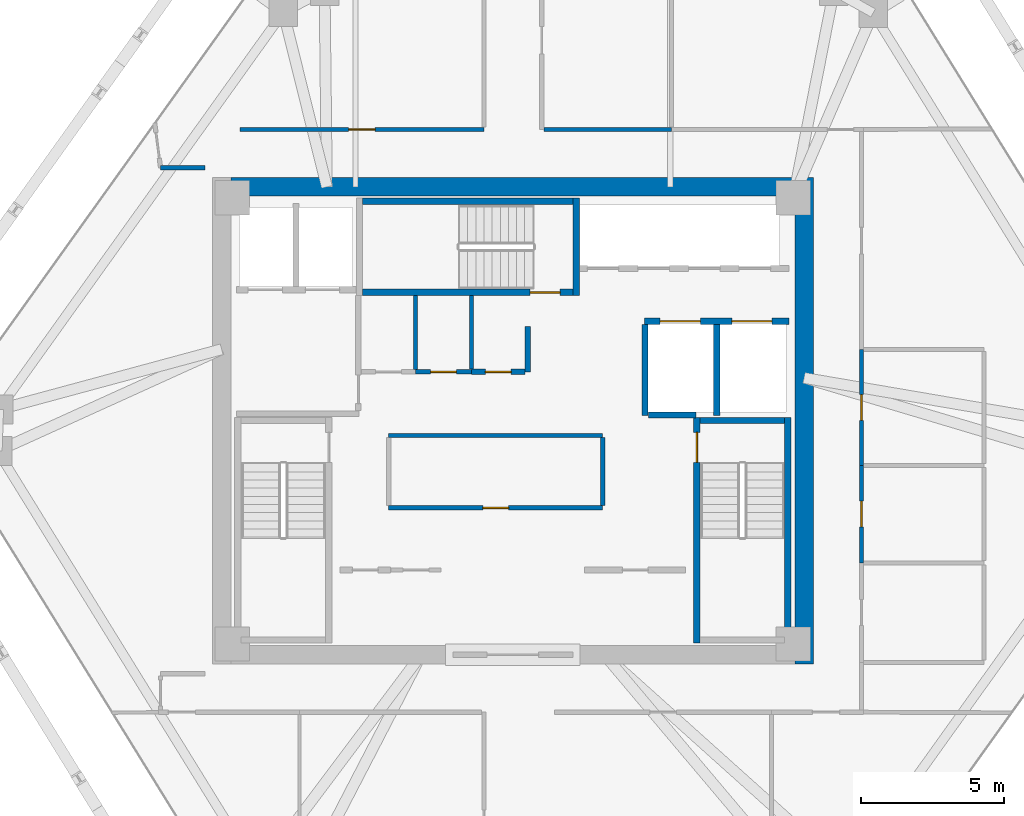
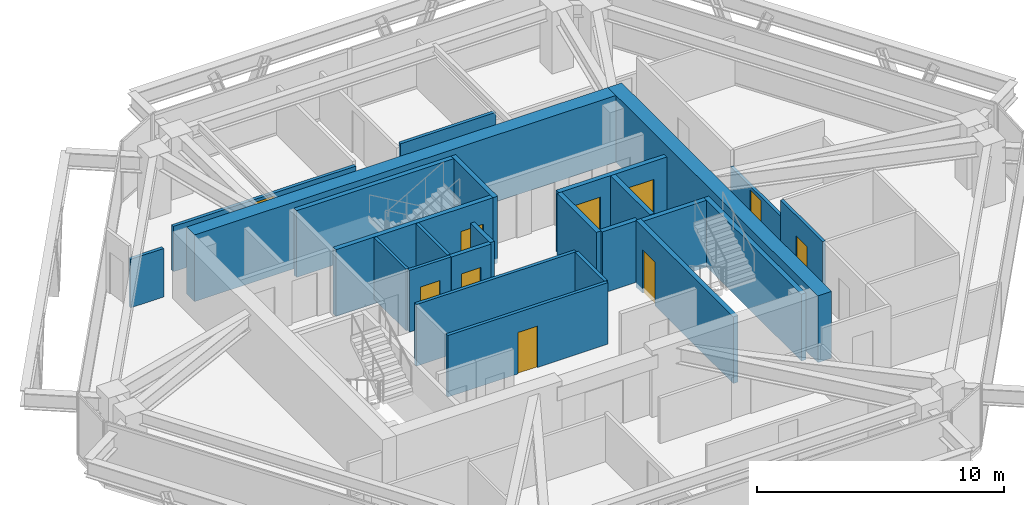
# One storey, part 9 of 11: 25 walls, 10 doors, 10 openings.
"""IFC4 building model written with IfcOpenShell, lengths in metres."""

import ifcopenshell
import ifcopenshell.guid

model = None  # the IFC model being written
_history = None  # IfcOwnerHistory: only IFC2X3 demands one
_inside = {}  # id of a spatial element -> (the spatial element, [elements in it])
_under = {}  # id of a project, library or spatial element -> (it, [spatial elements below it])
_declared = {}  # id of a project -> (the project, [libraries it declares])
_typed = {}  # id of a type object -> (the type object, [elements of that type])
_made_of = {}  # id of a material, layer set ... -> (it, [elements and type objects made of it])


def new_model(schema):
    """Start an empty IFC model of exactly this schema.

    Asked for "IFC4X3", IfcOpenShell would pick the latest addendum, in which some entities
    have other attributes; the version numbers below select the first issue.
    IFC2X3 requires an IfcOwnerHistory on every rooted entity: one is made here for all.
    """
    global model, _history
    if schema == "IFC4X3":
        model = ifcopenshell.file(schema_version=(4, 3, 0, 0))
    else:
        model = ifcopenshell.file(schema=schema)
    _inside.clear()
    _under.clear()
    _declared.clear()
    _typed.clear()
    _made_of.clear()
    _history = None
    if model.schema == "IFC2X3":
        org = make("IfcOrganization", Name="unknown")
        user = make(
            "IfcPersonAndOrganization",
            ThePerson=make("IfcPerson", FamilyName="unknown"),
            TheOrganization=org,
        )
        app = make(
            "IfcApplication",
            ApplicationDeveloper=org,
            Version="unknown",
            ApplicationFullName="unknown",
            ApplicationIdentifier="unknown",
        )
        _history = make(
            "IfcOwnerHistory",
            OwningUser=user,
            OwningApplication=app,
            ChangeAction="ADDED",
            CreationDate=0,
        )
    return model


def make(cls, **values):
    """One entity of the class cls with the attributes given. An attribute that is None is left unset."""
    return model.create_entity(
        cls, **{name: value for name, value in values.items() if value is not None}
    )


def rooted(cls, **values):
    """An entity with a GlobalId (a new one), such as an element, a storey or a relation."""
    return make(cls, GlobalId=ifcopenshell.guid.new(), OwnerHistory=_history, **values)


def si_unit(unit_type, name, prefix=None):
    """IfcSIUnit, for example si_unit("LENGTHUNIT", "METRE", prefix="MILLI")."""
    return make("IfcSIUnit", UnitType=unit_type, Prefix=prefix, Name=name)


def assignment(units):
    """IfcUnitAssignment: the units of a project."""
    return None if units is None else make("IfcUnitAssignment", Units=units)


def point(xyz):
    """IfcCartesianPoint."""
    return None if xyz is None else make("IfcCartesianPoint", Coordinates=xyz)


def direction(xyz):
    """IfcDirection."""
    return None if xyz is None else make("IfcDirection", DirectionRatios=xyz)


def frame(location, z_axis=None, x_axis=None):
    """IfcAxis2Placement3D, a coordinate frame: its origin and axes. An axis left out is left unset."""
    return make(
        "IfcAxis2Placement3D",
        Location=point(location),
        Axis=direction(z_axis),
        RefDirection=direction(x_axis),
    )


def frame_2d(location, x_axis=None):
    """IfcAxis2Placement2D, a coordinate frame in the plane: its origin and x axis."""
    return make(
        "IfcAxis2Placement2D", Location=point(location), RefDirection=direction(x_axis)
    )


def origin():
    """The frame at (0, 0, 0) with its axes left unset."""
    return frame((0.0, 0.0, 0.0))


def place(relative_to, where):
    """IfcLocalPlacement: puts the frame where relative to a parent placement (None: the world)."""
    return make(
        "IfcLocalPlacement", PlacementRelTo=relative_to, RelativePlacement=where
    )


def context(
    kind, dimensions, precision=None, world=None, true_north=None, identifier=None
):
    """IfcGeometricRepresentationContext, for example the 3D "Model" context."""
    return make(
        "IfcGeometricRepresentationContext",
        ContextIdentifier=identifier,
        ContextType=kind,
        CoordinateSpaceDimension=dimensions,
        Precision=precision,
        WorldCoordinateSystem=world,
        TrueNorth=true_north,
    )


def subcontext(parent, identifier, kind, view, scale=None):
    """IfcGeometricRepresentationSubContext, for example "Body" below "Model"."""
    return make(
        "IfcGeometricRepresentationSubContext",
        ContextIdentifier=identifier,
        ContextType=kind,
        ParentContext=parent,
        TargetScale=scale,
        TargetView=view,
    )


def project(units=None, contexts=None):
    """IfcProject with its units and contexts."""
    return rooted(
        "IfcProject",
        Name="project",
        RepresentationContexts=contexts,
        UnitsInContext=assignment(units),
    )


def spatial(cls, under=None, at=None, **own):
    """A site, building, storey or space (cls), placed at a placement, below another one or the project."""
    s = rooted(cls, ObjectPlacement=at, **own)
    if under is not None:
        _under.setdefault(under.id(), (under, []))[1].append(s)
    return s


def profile(cls, at=None, kind="AREA", **sizes):
    """A parametric profile (cls). Its sizes go by their IFC names, for example OverallWidth=200.0."""
    return make(cls, ProfileType=kind, Position=at, **sizes)


def rectangle(**sizes):
    """IfcRectangleProfileDef."""
    return profile("IfcRectangleProfileDef", **sizes)


def extrude(swept, where, along, depth):
    """IfcExtrudedAreaSolid: the profile swept, set in the frame where, extruded along a direction by depth."""
    return make(
        "IfcExtrudedAreaSolid",
        SweptArea=swept,
        Position=where,
        ExtrudedDirection=direction(along),
        Depth=depth,
    )


def shape(context_of_items, identifier, shape_type, items):
    """IfcShapeRepresentation: the items that make up one representation, for example the "Body"."""
    return make(
        "IfcShapeRepresentation",
        ContextOfItems=context_of_items,
        RepresentationIdentifier=identifier,
        RepresentationType=shape_type,
        Items=items,
    )


def source(mapping_origin, context_of_items, identifier, shape_type, items):
    """IfcRepresentationMap: a shape defined once, which mapped items show again and again."""
    return make(
        "IfcRepresentationMap",
        MappingOrigin=mapping_origin,
        MappedRepresentation=shape(context_of_items, identifier, shape_type, items),
    )


def transform(
    local_origin,
    x_axis=None,
    y_axis=None,
    z_axis=None,
    scale=None,
    scale2=None,
    scale3=None,
    uniform=True,
):
    """IfcCartesianTransformationOperator3D, or its non-uniform kind. x_axis, y_axis, z_axis: its Axis1, 2, 3."""
    if uniform:
        return make(
            "IfcCartesianTransformationOperator3D",
            Axis1=direction(x_axis),
            Axis2=direction(y_axis),
            LocalOrigin=point(local_origin),
            Scale=scale,
            Axis3=direction(z_axis),
        )
    return make(
        "IfcCartesianTransformationOperator3DnonUniform",
        Axis1=direction(x_axis),
        Axis2=direction(y_axis),
        LocalOrigin=point(local_origin),
        Scale=scale,
        Axis3=direction(z_axis),
        Scale2=scale2,
        Scale3=scale3,
    )


def mapped(mapping_source, mapping_target):
    """IfcMappedItem: shows the shape of a source again, moved by a transform."""
    return make(
        "IfcMappedItem", MappingSource=mapping_source, MappingTarget=mapping_target
    )


def material(Name=None, Category=None):
    """IfcMaterial."""
    return make("IfcMaterial", Name=Name, Category=Category)


def layer(
    of_material, thickness, ventilated=None, Name=None, Category=None, Priority=None
):
    """IfcMaterialLayer: one layer of a wall or slab, of a material (None: an air gap)."""
    return make(
        "IfcMaterialLayer",
        Material=of_material,
        LayerThickness=thickness,
        IsVentilated=ventilated,
        Name=Name,
        Category=Category,
        Priority=Priority,
    )


def layer_set(layers, Name=None):
    """IfcMaterialLayerSet."""
    return make("IfcMaterialLayerSet", MaterialLayers=layers, LayerSetName=Name)


def made_of(thing, what):
    """Note that an element or type object is made of a material, layer set ...; save() writes the relation."""
    if what is not None:
        _made_of.setdefault(what.id(), (what, []))[1].append(thing)
    return thing


def type_object(cls, material=None, **own):
    """A type object (cls), such as IfcWallType, which elements share."""
    return made_of(rooted(cls, **own), material)


def type_shapes(of_type, sources):
    """Give a type object the sources (RepresentationMaps) that its elements show as mapped items."""
    of_type.RepresentationMaps = sources


def element(
    cls,
    number,
    at=None,
    inside=None,
    cuts=None,
    type_object=None,
    material=None,
    context=None,
    identifier="Body",
    shape_type=None,
    held_by="IfcProductDefinitionShape",
    body=None,
    shapes=None,
    **own,
):
    """One element of the class cls, such as IfcWall. Its Tag is "e" and its number.

    at: its placement. inside: the storey or other place that contains it. cuts: it is an
    opening in that element (IfcRelVoidsElement). A single representation is given by context,
    identifier, shape_type and body (its items); several are given by shapes. held_by: the class
    of the entity that holds the representations. save() writes the other relations.
    """
    e = rooted(cls, Tag="e%d" % number, ObjectPlacement=at, **own)
    if body is not None:
        shapes = [shape(context, identifier, shape_type, body)]
    if shapes is not None:
        e.Representation = make(held_by, Representations=shapes)
    if inside is not None:
        _inside.setdefault(inside.id(), (inside, []))[1].append(e)
    if cuts is not None:
        rooted(
            "IfcRelVoidsElement", RelatingBuildingElement=cuts, RelatedOpeningElement=e
        )
    if type_object is not None:
        _typed.setdefault(type_object.id(), (type_object, []))[1].append(e)
    return made_of(e, material)


def fill(opening, filler):
    """IfcRelFillsElement: the door or window that sits in an opening."""
    return rooted(
        "IfcRelFillsElement",
        RelatingOpeningElement=opening,
        RelatedBuildingElement=filler,
    )


def aggregate(whole, parts):
    """IfcRelAggregates: a whole, such as a stair, and the parts it consists of."""
    return rooted("IfcRelAggregates", RelatingObject=whole, RelatedObjects=parts)


def save(model, path):
    """Write the relations noted so far, then the file.

    IfcRelAggregates (storeys below a building ...), IfcRelContainedInSpatialStructure (elements
    in a storey), IfcRelDefinesByType, IfcRelAssociatesMaterial and IfcRelDeclares: one each for
    every whole, place, type object, material and project.
    """
    for whole, parts in _under.values():
        aggregate(whole, parts)
    for where, things in _inside.values():
        rooted(
            "IfcRelContainedInSpatialStructure",
            RelatedElements=things,
            RelatingStructure=where,
        )
    for kind, things in _typed.values():
        rooted("IfcRelDefinesByType", RelatedObjects=things, RelatingType=kind)
    for what, things in _made_of.values():
        rooted("IfcRelAssociatesMaterial", RelatedObjects=things, RelatingMaterial=what)
    for by, libraries in _declared.values():
        rooted("IfcRelDeclares", RelatingContext=by, RelatedDefinitions=libraries)
    model.write(path)


model = new_model("IFC4")

# Units and contexts
model_context = context("Model", 3, precision=1e-05, world=origin(), true_north=direction((0.0, 1.0)))
body_context = subcontext(model_context, "Body", "Model", "MODEL_VIEW")
ifc_project = project(units=[si_unit("LENGTHUNIT", "METRE"), si_unit("AREAUNIT", "SQUARE_METRE"), si_unit("VOLUMEUNIT", "CUBIC_METRE"), si_unit("PLANEANGLEUNIT", "RADIAN"), si_unit("MASSUNIT", "GRAM", prefix="KILO")], contexts=[model_context])

# Site, building, storey
site_placement = place(None, origin())
site = spatial("IfcSite", under=ifc_project, at=site_placement, CompositionType="ELEMENT")
building_placement = place(site_placement, origin())
building = spatial("IfcBuilding", under=site, at=building_placement, Name="Durnholm Broadcast Tower", CompositionType="ELEMENT")
storey_placement = place(building_placement, frame((0.0, 0.0, 190.300048828125)))
storey = spatial("IfcBuildingStorey", under=building, at=storey_placement, Name="L52", CompositionType="ELEMENT", Elevation=190.300048828125)

# Walls
ifc_material_1 = material(Name="Concrete C70/85", Category="concrete")
ifc_layer_1 = layer(ifc_material_1, 0.64990234375)
ifc_layer_set_1 = layer_set([ifc_layer_1], Name="Concrete C70/85")
wall_type_1 = type_object("IfcWallType", Name="WALL-CW-650", PredefinedType="SHEAR", material=ifc_layer_set_1)
wall_1_placement = place(storey_placement, frame((10.175048828125, -8.5, 0.0), z_axis=(0.0, 0.0, 1.0), x_axis=(0.0, 1.0, 0.0)))
element("IfcWall", 1, at=wall_1_placement, inside=storey, type_object=wall_type_1, Name="L52 central core shear wall CW-EAST", PredefinedType="SHEAR", context=body_context, shape_type="SweptSolid", body=[
    extrude(rectangle(XDim=17.0, YDim=0.64990234375, at=frame_2d((8.5, 0.0))), origin(), (0.0, 0.0, 1.0), 3.300048828125),
])
wall_2_placement = place(storey_placement, frame((-9.85009765625, 8.175048828125, 0.0), z_axis=(0.0, 0.0, 1.0), x_axis=(1.0, 0.0, 0.0)))
element("IfcWall", 2, at=wall_2_placement, inside=storey, type_object=wall_type_1, Name="L52 central core shear wall CW-N", PredefinedType="SHEAR", context=body_context, shape_type="SweptSolid", body=[
    extrude(rectangle(XDim=19.7001953125, YDim=0.64990234375, at=frame_2d((9.85009765625, 0.0))), origin(), (0.0, 0.0, 1.0), 3.300048828125),
])
ifc_material_2 = material(Name="Fire-Rated Gypsum Shaftwall", Category="concrete")
ifc_layer_2 = layer(ifc_material_2, 0.199951171875)
ifc_layer_set_2 = layer_set([ifc_layer_2], Name="Fire-Rated Gypsum Shaftwall")
wall_type_2 = type_object("IfcWallType", Name="WALL-LOB-200", PredefinedType="SOLIDWALL", material=ifc_layer_set_2)
wall_3_placement = place(storey_placement, frame((0.52001953125, 3.300048828125, 0.0), z_axis=(0.0, 0.0, 1.0), x_axis=(0.0, -1.0, 0.0)))
element("IfcWall", 3, at=wall_3_placement, inside=storey, type_object=wall_type_2, Name="L52 Core Telecom Patch Room corridor partition", PredefinedType="SOLIDWALL", context=body_context, shape_type="SweptSolid", body=[
    extrude(rectangle(XDim=1.590087890625, YDim=0.199951171875, at=frame_2d((0.794921875, 0.0))), origin(), (0.0, 0.0, 1.0), 3.044921875),
])

# Wall, opening, door
wall_4_placement = place(storey_placement, frame((0.416015625, 1.7099609375, 0.0), z_axis=(0.0, 0.0, 1.0), x_axis=(-1.0, 0.0, 0.0)))
wall_4 = element("IfcWall", 4, at=wall_4_placement, inside=storey, type_object=wall_type_2, Name="L52 Core Telecom Patch Room corridor partition", PredefinedType="SOLIDWALL", context=body_context, shape_type="SweptSolid", body=[
    extrude(rectangle(XDim=1.85595703125, YDim=0.199951171875, at=frame_2d((0.927978515625, 0.0))), origin(), (0.0, 0.0, 1.0), 3.044921875),
])
opening_1_placement = place(wall_4_placement, frame((0.47802734375, 0.0, 0.0)))
opening_1 = element("IfcOpeningElement", 5, at=opening_1_placement, cuts=wall_4, Name="Opening DC-60R", PredefinedType="OPENING", context=body_context, shape_type="SweptSolid", body=[
    extrude(rectangle(XDim=0.89990234375, YDim=2.050048828125, at=frame_2d((0.449951171875, 1.02490234375))), frame((0.0, 0.10986328125, 0.0), z_axis=(0.0, -1.0, 0.0), x_axis=(1.0, 0.0, 0.0)), (0.0, 0.0, 1.0), 0.219970703125),
])
ifc_material_3 = material(Name="Fire-Rated Core Service Door", Category="steel")
ifc_layer_3 = layer(ifc_material_3, 0.050048828125)
ifc_layer_set_3 = layer_set([ifc_layer_3], Name="Fire-Rated Core Service Door")
door_type_1 = type_object("IfcDoorType", Name="DOOR-CORE-FD60-R", OperationType="NOTDEFINED", PredefinedType="DOOR", material=ifc_layer_set_3)
shared_shape_1 = source(origin(), body_context, "Body", "SweptSolid", [
    extrude(rectangle(XDim=0.89990234375, YDim=2.050048828125, at=frame_2d((0.449951171875, 1.02490234375))), frame((0.0, 0.02490234375, 0.0), z_axis=(0.0, -1.0, 0.0), x_axis=(1.0, 0.0, 0.0)), (0.0, 0.0, 1.0), 0.050048828125),
])
type_shapes(door_type_1, [shared_shape_1])
door_1_placement = place(opening_1_placement, origin())
door_1 = element("IfcDoor", 6, at=door_1_placement, inside=storey, type_object=door_type_1, Name="L52 Core Telecom Patch Room entrance door", OperationType="SINGLE_SWING_RIGHT", OverallHeight=2.050048828125, OverallWidth=0.89990234375, PredefinedType="DOOR", context=body_context, shape_type="MappedRepresentation", body=[
    mapped(shared_shape_1, transform((0.0, 0.0, 0.0), x_axis=(1.0, 0.0, 0.0), y_axis=(0.0, 1.0, 0.0), z_axis=(0.0, 0.0, 1.0), scale=1.0)),
])
fill(opening_1, door_1)

# Walls
ifc_material_4 = material(Name="Gypsum Metal Stud Partition", Category="concrete")
ifc_layer_4 = layer(ifc_material_4, 0.135009765625)
ifc_layer_set_4 = layer_set([ifc_layer_4], Name="Gypsum Metal Stud Partition")
wall_type_3 = type_object("IfcWallType", Name="WALL-PART-135", PredefinedType="PARTITIONING", material=ifc_layer_set_4)
wall_5_placement = place(storey_placement, frame((-3.39990234375, 4.375, 0.0), z_axis=(0.0, 0.0, 1.0), x_axis=(0.0, -1.0, 0.0)))
element("IfcWall", 7, at=wall_5_placement, inside=storey, type_object=wall_type_3, Name="L52 room dividing partition 5.6", PredefinedType="PARTITIONING", context=body_context, shape_type="SweptSolid", body=[
    extrude(rectangle(XDim=2.5859375, YDim=0.135009765625, at=frame_2d((1.29296875, 0.0))), origin(), (0.0, 0.0, 1.0), 3.044921875),
])
wall_6_placement = place(storey_placement, frame((-1.43994140625, 4.375, 0.0), z_axis=(0.0, 0.0, 1.0), x_axis=(0.0, -1.0, 0.0)))
element("IfcWall", 8, at=wall_6_placement, inside=storey, type_object=wall_type_3, Name="L52 room dividing partition 6.7", PredefinedType="PARTITIONING", context=body_context, shape_type="SweptSolid", body=[
    extrude(rectangle(XDim=2.56103515625, YDim=0.135009765625, at=frame_2d((1.280517578125, 0.0))), origin(), (0.0, 0.0, 1.0), 3.044921875),
])

# Wall, opening, door
ifc_material_5 = material(Name="Acoustic Gypsum Stud Partition", Category="concrete")
ifc_layer_5 = layer(ifc_material_5, 0.14990234375)
ifc_layer_set_5 = layer_set([ifc_layer_5], Name="Acoustic Gypsum Stud Partition")
wall_type_4 = type_object("IfcWallType", Name="WALL-PART-150", PredefinedType="PARTITIONING", material=ifc_layer_set_5)
wall_7_placement = place(storey_placement, frame((3.139892578125, -3.0400390625, 0.0), z_axis=(0.0, 0.0, 1.0), x_axis=(-1.0, 0.0, 0.0)))
wall_7 = element("IfcWall", 9, at=wall_7_placement, inside=storey, type_object=wall_type_4, Name="L52 Broadcast Equipment Pantry corridor partition", PredefinedType="PARTITIONING", context=body_context, shape_type="SweptSolid", body=[
    extrude(rectangle(XDim=7.47998046875, YDim=0.14990234375, at=frame_2d((3.739990234375, 0.0))), origin(), (0.0, 0.0, 1.0), 3.044921875),
])
opening_2_placement = place(wall_7_placement, frame((3.2900390625, 0.0, 0.0)))
opening_2 = element("IfcOpeningElement", 10, at=opening_2_placement, cuts=wall_7, Name="Opening DC-60L", PredefinedType="OPENING", context=body_context, shape_type="SweptSolid", body=[
    extrude(rectangle(XDim=0.89990234375, YDim=2.050048828125, at=frame_2d((0.449951171875, 1.02490234375))), frame((0.0, 0.0849609375, 0.0), z_axis=(0.0, -1.0, 0.0), x_axis=(1.0, 0.0, 0.0)), (0.0, 0.0, 1.0), 0.169921875),
])
ifc_layer_6 = layer(ifc_material_3, 0.050048828125)
ifc_layer_set_6 = layer_set([ifc_layer_6], Name="Fire-Rated Core Service Door")
door_type_2 = type_object("IfcDoorType", Name="DOOR-CORE-FD60-L", OperationType="NOTDEFINED", PredefinedType="DOOR", material=ifc_layer_set_6)
shared_shape_2 = source(origin(), body_context, "Body", "SweptSolid", [
    extrude(rectangle(XDim=0.89990234375, YDim=2.050048828125, at=frame_2d((0.449951171875, 1.02490234375))), frame((0.0, 0.02490234375, 0.0), z_axis=(0.0, -1.0, 0.0), x_axis=(1.0, 0.0, 0.0)), (0.0, 0.0, 1.0), 0.050048828125),
])
type_shapes(door_type_2, [shared_shape_2])
door_2_placement = place(opening_2_placement, origin())
door_2 = element("IfcDoor", 11, at=door_2_placement, inside=storey, type_object=door_type_2, Name="L52 Broadcast Equipment Pantry entrance door", OperationType="SINGLE_SWING_LEFT", OverallHeight=2.050048828125, OverallWidth=0.89990234375, PredefinedType="DOOR", context=body_context, shape_type="MappedRepresentation", body=[
    mapped(shared_shape_2, transform((0.0, 0.0, 0.0), x_axis=(1.0, 0.0, 0.0), y_axis=(0.0, 1.0, 0.0), z_axis=(0.0, 0.0, 1.0), scale=1.0)),
])
fill(opening_2, door_2)

# Walls
wall_8_placement = place(storey_placement, frame((-4.340087890625, -0.510009765625, 0.0), z_axis=(0.0, 0.0, 1.0), x_axis=(1.0, 0.0, 0.0)))
element("IfcWall", 12, at=wall_8_placement, inside=storey, type_object=wall_type_4, Name="L52 Broadcast Equipment Pantry corridor partition", PredefinedType="PARTITIONING", context=body_context, shape_type="SweptSolid", body=[
    extrude(rectangle(XDim=7.47998046875, YDim=0.14990234375, at=frame_2d((3.739990234375, 0.0))), origin(), (0.0, 0.0, 1.0), 3.044921875),
])
wall_9_placement = place(storey_placement, frame((3.139892578125, -0.589111328125, 0.0), z_axis=(0.0, 0.0, 1.0), x_axis=(0.0, -1.0, 0.0)))
element("IfcWall", 13, at=wall_9_placement, inside=storey, type_object=wall_type_4, Name="L52 Broadcast Equipment Pantry corridor partition", PredefinedType="PARTITIONING", context=body_context, shape_type="SweptSolid", body=[
    extrude(rectangle(XDim=2.371826171875, YDim=0.14990234375, at=frame_2d((1.18603515625, 0.0))), origin(), (0.0, 0.0, 1.0), 3.044921875),
])

# Wall, opening, door
wall_10_placement = place(storey_placement, frame((-1.43994140625, 1.7099609375, 0.0), z_axis=(0.0, 0.0, 1.0), x_axis=(-1.0, 0.0, 0.0)))
wall_10 = element("IfcWall", 14, at=wall_10_placement, inside=storey, type_object=wall_type_4, Name="L52 Core Janitor Supply Closet corridor partition", PredefinedType="PARTITIONING", context=body_context, shape_type="SweptSolid", body=[
    extrude(rectangle(XDim=1.9599609375, YDim=0.14990234375, at=frame_2d((0.97998046875, 0.0))), origin(), (0.0, 0.0, 1.0), 3.044921875),
])
opening_3_placement = place(wall_10_placement, frame((0.530029296875, 0.0, 0.0)))
opening_3 = element("IfcOpeningElement", 15, at=opening_3_placement, cuts=wall_10, Name="Opening DC-60L", PredefinedType="OPENING", context=body_context, shape_type="SweptSolid", body=[
    extrude(rectangle(XDim=0.89990234375, YDim=2.050048828125, at=frame_2d((0.449951171875, 1.02490234375))), frame((0.0, 0.0849609375, 0.0), z_axis=(0.0, -1.0, 0.0), x_axis=(1.0, 0.0, 0.0)), (0.0, 0.0, 1.0), 0.169921875),
])
door_3_placement = place(opening_3_placement, origin())
door_3 = element("IfcDoor", 16, at=door_3_placement, inside=storey, type_object=door_type_2, Name="L52 Core Janitor Supply Closet entrance door", OperationType="SINGLE_SWING_LEFT", OverallHeight=2.050048828125, OverallWidth=0.89990234375, PredefinedType="DOOR", context=body_context, shape_type="MappedRepresentation", body=[
    mapped(shared_shape_2, transform((0.0, 0.0, 0.0), x_axis=(1.0, 0.0, 0.0), y_axis=(0.0, 1.0, 0.0), z_axis=(0.0, 0.0, 1.0), scale=1.0)),
])
fill(opening_3, door_3)

wall_11_placement = place(storey_placement, frame((-1.010009765625, 10.179931640625, 0.0), z_axis=(0.0, 0.0, 1.0), x_axis=(-1.0, 0.0, 0.0)))
wall_11 = element("IfcWall", 17, at=wall_11_placement, inside=storey, type_object=wall_type_4, Name="L52 Open Plan Broadcast Workspace 2 corridor partition", PredefinedType="PARTITIONING", context=body_context, shape_type="SweptSolid", body=[
    extrude(rectangle(XDim=8.530029296875, YDim=0.14990234375, at=frame_2d((4.26513671875, 0.0))), origin(), (0.0, 0.0, 1.0), 2.24169921875),
])
opening_4_placement = place(wall_11_placement, frame((3.804931640625, 0.0, 0.0)))
opening_4 = element("IfcOpeningElement", 18, at=opening_4_placement, cuts=wall_11, Name="Opening DR-92R", PredefinedType="OPENING", context=body_context, shape_type="SweptSolid", body=[
    extrude(rectangle(XDim=0.919921875, YDim=2.10009765625, at=frame_2d((0.4599609375, 1.050048828125))), frame((0.0, 0.0849609375, 0.0), z_axis=(0.0, -1.0, 0.0), x_axis=(1.0, 0.0, 0.0)), (0.0, 0.0, 1.0), 0.169921875),
])
ifc_material_6 = material(Name="Oak Veneer Office Door", Category="wood")
ifc_layer_7 = layer(ifc_material_6, 0.050048828125)
ifc_layer_set_7 = layer_set([ifc_layer_7], Name="Oak Veneer Office Door")
door_type_3 = type_object("IfcDoorType", Name="DOOR-RM-920R", OperationType="NOTDEFINED", PredefinedType="DOOR", material=ifc_layer_set_7)
shared_shape_3 = source(origin(), body_context, "Body", "SweptSolid", [
    extrude(rectangle(XDim=0.919921875, YDim=2.10009765625, at=frame_2d((0.4599609375, 1.050048828125))), frame((0.0, 0.02490234375, 0.0), z_axis=(0.0, -1.0, 0.0), x_axis=(1.0, 0.0, 0.0)), (0.0, 0.0, 1.0), 0.050048828125),
])
type_shapes(door_type_3, [shared_shape_3])
door_4_placement = place(opening_4_placement, origin())
door_4 = element("IfcDoor", 19, at=door_4_placement, inside=storey, type_object=door_type_3, Name="L52 Open Plan Broadcast Workspace 2 entrance door", OperationType="SINGLE_SWING_RIGHT", OverallHeight=2.10009765625, OverallWidth=0.919921875, PredefinedType="DOOR", context=body_context, shape_type="MappedRepresentation", body=[
    mapped(shared_shape_3, transform((0.0, 0.0, 0.0), x_axis=(1.0, 0.0, 0.0), y_axis=(0.0, 1.0, 0.0), z_axis=(0.0, 0.0, 1.0), scale=1.0)),
])
fill(opening_4, door_4)

# Walls
wall_12_placement = place(storey_placement, frame((5.5400390625, 10.179931640625, 0.0), z_axis=(0.0, 0.0, 1.0), x_axis=(-1.0, 0.0, 0.0)))
element("IfcWall", 20, at=wall_12_placement, inside=storey, type_object=wall_type_4, Name="L52 Brand Review Lounge 2 corridor partition", PredefinedType="PARTITIONING", context=body_context, shape_type="SweptSolid", body=[
    extrude(rectangle(XDim=4.450927734375, YDim=0.14990234375, at=frame_2d((2.2255859375, 0.0))), origin(), (0.0, 0.0, 1.0), 2.608154296875),
])
wall_13_placement = place(storey_placement, frame((-12.31005859375, 8.840087890625, 0.0), z_axis=(0.0, 0.0, 1.0), x_axis=(1.0, 0.0, 0.0)))
element("IfcWall", 21, at=wall_13_placement, inside=storey, type_object=wall_type_4, Name="L52 Typography Meeting Room 1 corridor partition", PredefinedType="PARTITIONING", context=body_context, shape_type="SweptSolid", body=[
    extrude(rectangle(XDim=1.550048828125, YDim=0.14990234375, at=frame_2d((0.77490234375, 0.0))), origin(), (0.0, 0.0, 1.0), 2.398681640625),
])

# Wall, openings, doors
ifc_material_7 = material(Name="Concrete Blockwork C30/37", Category="masonry")
ifc_layer_8 = layer(ifc_material_7, 0.219970703125)
ifc_layer_set_8 = layer_set([ifc_layer_8], Name="Concrete Blockwork C30/37")
wall_type_5 = type_object("IfcWallType", Name="WALL-SHAFT-220", PredefinedType="SOLIDWALL", material=ifc_layer_set_8)
wall_14_placement = place(storey_placement, frame((4.60009765625, 3.47998046875, 0.0), z_axis=(0.0, 0.0, 1.0), x_axis=(1.0, 0.0, 0.0)))
wall_14 = element("IfcWall", 22, at=wall_14_placement, inside=storey, type_object=wall_type_5, Name="L52 freight service lifts north front wall", PredefinedType="SOLIDWALL", context=body_context, shape_type="SweptSolid", body=[
    extrude(rectangle(XDim=5.0498046875, YDim=0.219970703125, at=frame_2d((2.52490234375, 0.0))), origin(), (0.0, 0.0, 1.0), 3.044921875),
])
opening_5_placement = place(wall_14_placement, frame((0.550048828125, 0.0, 0.0)))
opening_5 = element("IfcOpeningElement", 23, at=opening_5_placement, cuts=wall_14, Name="Opening LD-SVL-2", PredefinedType="OPENING", context=body_context, shape_type="SweptSolid", body=[
    extrude(rectangle(XDim=1.39990234375, YDim=2.14990234375, at=frame_2d((0.699951171875, 1.074951171875))), frame((0.0, 0.1201171875, 0.0), z_axis=(0.0, -1.0, 0.0), x_axis=(1.0, 0.0, 0.0)), (0.0, 0.0, 1.0), 0.239990234375),
])
opening_6_placement = place(wall_14_placement, frame((3.050048828125, 0.0, 0.0)))
opening_6 = element("IfcOpeningElement", 24, at=opening_6_placement, cuts=wall_14, Name="Opening LD-SVL-1", PredefinedType="OPENING", context=body_context, shape_type="SweptSolid", body=[
    extrude(rectangle(XDim=1.39990234375, YDim=2.14990234375, at=frame_2d((0.699951171875, 1.074951171875))), frame((0.0, 0.1201171875, 0.0), z_axis=(0.0, -1.0, 0.0), x_axis=(1.0, 0.0, 0.0)), (0.0, 0.0, 1.0), 0.239990234375),
])
ifc_material_8 = material(Name="Freight Elevator Bi-Parting Sliding Landing Door", Category="steel")
ifc_layer_9 = layer(ifc_material_8, 0.050048828125)
ifc_layer_set_9 = layer_set([ifc_layer_9], Name="Freight Elevator Bi-Parting Sliding Landing Door")
door_type_4 = type_object("IfcDoorType", Name="DOOR-LIFT-SVL", OperationType="DOUBLE_DOOR_SLIDING", PredefinedType="DOOR", material=ifc_layer_set_9)
shared_shape_4 = source(origin(), body_context, "Body", "SweptSolid", [
    extrude(rectangle(XDim=1.39990234375, YDim=2.14990234375, at=frame_2d((0.699951171875, 1.074951171875))), frame((0.0, 0.02490234375, 0.0), z_axis=(0.0, -1.0, 0.0), x_axis=(1.0, 0.0, 0.0)), (0.0, 0.0, 1.0), 0.050048828125),
])
type_shapes(door_type_4, [shared_shape_4])
door_5_placement = place(opening_5_placement, origin())
door_5 = element("IfcDoor", 25, at=door_5_placement, inside=storey, type_object=door_type_4, Name="L52 freight service elevator SVL-2 sliding landing door", OperationType="DOUBLE_DOOR_SLIDING", OverallHeight=2.14990234375, OverallWidth=1.39990234375, PredefinedType="DOOR", context=body_context, shape_type="MappedRepresentation", body=[
    mapped(shared_shape_4, transform((0.0, 0.0, 0.0), x_axis=(1.0, 0.0, 0.0), y_axis=(0.0, 1.0, 0.0), z_axis=(0.0, 0.0, 1.0), scale=1.0)),
])
fill(opening_5, door_5)
door_6_placement = place(opening_6_placement, origin())
door_6 = element("IfcDoor", 26, at=door_6_placement, inside=storey, type_object=door_type_4, Name="L52 freight service elevator SVL-1 sliding landing door", OperationType="DOUBLE_DOOR_SLIDING", OverallHeight=2.14990234375, OverallWidth=1.39990234375, PredefinedType="DOOR", context=body_context, shape_type="MappedRepresentation", body=[
    mapped(shared_shape_4, transform((0.0, 0.0, 0.0), x_axis=(1.0, 0.0, 0.0), y_axis=(0.0, 1.0, 0.0), z_axis=(0.0, 0.0, 1.0), scale=1.0)),
])
fill(opening_6, door_6)

# Walls
for number, where, z_axis, x_axis, name in (
    (27, (4.6201171875, 0.179931640625, 0.0), (0.0, 0.0, 1.0), (0.0, 1.0, 0.0), "L52 freight service lift SVL-2 west wall"),
    (28, (7.1201171875, 0.179931640625, 0.0), (0.0, 0.0, 1.0), (0.0, 1.0, 0.0), "L52 freight service lifts divider wall"),
):
    element("IfcWall", number, at=place(storey_placement, frame(where, z_axis=z_axis, x_axis=x_axis)), inside=storey, type_object=wall_type_5, Name=name, PredefinedType="SOLIDWALL", context=body_context, shape_type="SweptSolid", body=[
        extrude(rectangle(XDim=3.18603515625, YDim=0.219970703125, at=frame_2d((1.593017578125, 0.0))), origin(), (0.0, 0.0, 1.0), 3.044921875),
    ])
wall_15_placement = place(storey_placement, frame((4.73388671875, 0.199951171875, 0.0), z_axis=(0.0, 0.0, 1.0), x_axis=(1.0, 0.0, 0.0)))
element("IfcWall", 29, at=wall_15_placement, inside=storey, type_object=wall_type_5, Name="L52 freight service lift SVL-2 south wall", PredefinedType="SOLIDWALL", context=body_context, shape_type="SweptSolid", body=[
    extrude(rectangle(XDim=1.666015625, YDim=0.219970703125, at=frame_2d((0.8330078125, 0.0))), origin(), (0.0, 0.0, 1.0), 3.044921875),
])
ifc_material_9 = material(Name="Concrete C50/60", Category="concrete")
ifc_layer_10 = layer(ifc_material_9, 0.219970703125)
ifc_layer_set_10 = layer_set([ifc_layer_10], Name="Concrete C50/60")
wall_type_6 = type_object("IfcWallType", Name="WALL-SW-220", PredefinedType="SHEAR", material=ifc_layer_set_10)
wall_16_placement = place(storey_placement, frame((9.610107421875, -7.77001953125, -0.239990234375), z_axis=(0.0, 0.0, 1.0), x_axis=(0.0, 1.0, 0.0)))
element("IfcWall", 30, at=wall_16_placement, inside=storey, type_object=wall_type_6, Name="L52 stair ST-2 structural shaft wall E", PredefinedType="SHEAR", context=body_context, shape_type="SweptSolid", body=[
    extrude(rectangle(XDim=7.89013671875, YDim=0.219970703125, at=frame_2d((3.945068359375, 0.0))), origin(), (0.0, 0.0, 1.0), 3.300048828125),
])

# Wall, opening, door
wall_17_placement = place(storey_placement, frame((6.429931640625, 0.1201171875, -0.239990234375), z_axis=(0.0, 0.0, 1.0), x_axis=(0.0, -1.0, 0.0)))
wall_17 = element("IfcWall", 31, at=wall_17_placement, inside=storey, type_object=wall_type_6, Name="L52 stair ST-2 structural shaft wall W", PredefinedType="SHEAR", context=body_context, shape_type="SweptSolid", body=[
    extrude(rectangle(XDim=7.89013671875, YDim=0.219970703125, at=frame_2d((3.945068359375, 0.0))), origin(), (0.0, 0.0, 1.0), 3.300048828125),
])
opening_7_placement = place(wall_17_placement, frame((0.52001953125, 0.0, 0.0)))
opening_7 = element("IfcOpeningElement", 32, at=opening_7_placement, cuts=wall_17, Name="Opening DS-90R", PredefinedType="OPENING", context=body_context, shape_type="SweptSolid", body=[
    extrude(rectangle(XDim=1.050048828125, YDim=2.14990234375, at=frame_2d((0.52490234375, 1.074951171875))), frame((0.0, 0.1201171875, 0.0), z_axis=(0.0, -1.0, 0.0), x_axis=(1.0, 0.0, 0.0)), (0.0, 0.0, 1.0), 0.239990234375),
])
ifc_material_10 = material(Name="Fire-Rated Steel Door", Category="steel")
ifc_layer_11 = layer(ifc_material_10, 0.050048828125)
ifc_layer_set_11 = layer_set([ifc_layer_11], Name="Fire-Rated Steel Door")
door_type_5 = type_object("IfcDoorType", Name="DOOR-ST-FD90-R", OperationType="NOTDEFINED", PredefinedType="DOOR", material=ifc_layer_set_11)
shared_shape_5 = source(origin(), body_context, "Body", "SweptSolid", [
    extrude(rectangle(XDim=1.050048828125, YDim=2.14990234375, at=frame_2d((0.52490234375, 1.074951171875))), frame((0.0, 0.02490234375, 0.0), z_axis=(0.0, -1.0, 0.0), x_axis=(1.0, 0.0, 0.0)), (0.0, 0.0, 1.0), 0.050048828125),
])
type_shapes(door_type_5, [shared_shape_5])
door_7_placement = place(opening_7_placement, origin())
door_7 = element("IfcDoor", 33, at=door_7_placement, inside=storey, type_object=door_type_5, Name="L52 exit stair ST-2 fire door", OperationType="SINGLE_SWING_RIGHT", OverallHeight=2.14990234375, OverallWidth=1.050048828125, PredefinedType="DOOR", context=body_context, shape_type="MappedRepresentation", body=[
    mapped(shared_shape_5, transform((0.0, 0.0, 0.0), x_axis=(1.0, 0.0, 0.0), y_axis=(0.0, 1.0, 0.0), z_axis=(0.0, 0.0, 1.0), scale=1.0)),
])
fill(opening_7, door_7)

# Walls
wall_18_placement = place(storey_placement, frame((9.5, 0.010009765625, -0.239990234375), z_axis=(0.0, 0.0, 1.0), x_axis=(-1.0, 0.0, 0.0)))
element("IfcWall", 34, at=wall_18_placement, inside=storey, type_object=wall_type_6, Name="L52 stair ST-2 structural shaft wall N", PredefinedType="SHEAR", context=body_context, shape_type="SweptSolid", body=[
    extrude(rectangle(XDim=2.9599609375, YDim=0.219970703125, at=frame_2d((1.47998046875, 0.0))), origin(), (0.0, 0.0, 1.0), 3.300048828125),
])
wall_19_placement = place(storey_placement, frame((2.2099609375, 4.3798828125, -0.239990234375), z_axis=(0.0, 0.0, 1.0), x_axis=(0.0, 1.0, 0.0)))
element("IfcWall", 35, at=wall_19_placement, inside=storey, type_object=wall_type_6, Name="L52 stair ST-3 structural shaft wall E", PredefinedType="SHEAR", context=body_context, shape_type="SweptSolid", body=[
    extrude(rectangle(XDim=3.400146484375, YDim=0.219970703125, at=frame_2d((1.7001953125, 0.0))), origin(), (0.0, 0.0, 1.0), 3.300048828125),
])

# Wall, opening, door
wall_20_placement = place(storey_placement, frame((-5.25, 4.489990234375, -0.239990234375), z_axis=(0.0, 0.0, 1.0), x_axis=(1.0, 0.0, 0.0)))
wall_20 = element("IfcWall", 36, at=wall_20_placement, inside=storey, type_object=wall_type_6, Name="L52 stair ST-3 structural shaft wall S", PredefinedType="SHEAR", context=body_context, shape_type="SweptSolid", body=[
    extrude(rectangle(XDim=7.35009765625, YDim=0.219970703125, at=frame_2d((3.675048828125, 0.0))), origin(), (0.0, 0.0, 1.0), 3.300048828125),
])
opening_8_placement = place(wall_20_placement, frame((5.85009765625, 0.0, 0.0)))
opening_8 = element("IfcOpeningElement", 37, at=opening_8_placement, cuts=wall_20, Name="Opening DS-90L", PredefinedType="OPENING", context=body_context, shape_type="SweptSolid", body=[
    extrude(rectangle(XDim=1.050048828125, YDim=2.14990234375, at=frame_2d((0.52490234375, 1.074951171875))), frame((0.0, 0.1201171875, 0.0), z_axis=(0.0, -1.0, 0.0), x_axis=(1.0, 0.0, 0.0)), (0.0, 0.0, 1.0), 0.239990234375),
])
ifc_layer_12 = layer(ifc_material_10, 0.050048828125)
ifc_layer_set_12 = layer_set([ifc_layer_12], Name="Fire-Rated Steel Door")
door_type_6 = type_object("IfcDoorType", Name="DOOR-ST-FD90-L", OperationType="NOTDEFINED", PredefinedType="DOOR", material=ifc_layer_set_12)
shared_shape_6 = source(origin(), body_context, "Body", "SweptSolid", [
    extrude(rectangle(XDim=1.050048828125, YDim=2.14990234375, at=frame_2d((0.52490234375, 1.074951171875))), frame((0.0, 0.02490234375, 0.0), z_axis=(0.0, -1.0, 0.0), x_axis=(1.0, 0.0, 0.0)), (0.0, 0.0, 1.0), 0.050048828125),
])
type_shapes(door_type_6, [shared_shape_6])
door_8_placement = place(opening_8_placement, origin())
door_8 = element("IfcDoor", 38, at=door_8_placement, inside=storey, type_object=door_type_6, Name="L52 exit stair ST-3 fire door", OperationType="SINGLE_SWING_LEFT", OverallHeight=2.14990234375, OverallWidth=1.050048828125, PredefinedType="DOOR", context=body_context, shape_type="MappedRepresentation", body=[
    mapped(shared_shape_6, transform((0.0, 0.0, 0.0), x_axis=(1.0, 0.0, 0.0), y_axis=(0.0, 1.0, 0.0), z_axis=(0.0, 0.0, 1.0), scale=1.0)),
])
fill(opening_8, door_8)

# Wall
wall_21_placement = place(storey_placement, frame((2.10009765625, 7.669921875, -0.239990234375), z_axis=(0.0, 0.0, 1.0), x_axis=(-1.0, 0.0, 0.0)))
element("IfcWall", 39, at=wall_21_placement, inside=storey, type_object=wall_type_6, Name="L52 stair ST-3 structural shaft wall N", PredefinedType="SHEAR", context=body_context, shape_type="SweptSolid", body=[
    extrude(rectangle(XDim=7.35009765625, YDim=0.219970703125, at=frame_2d((3.675048828125, 0.0))), origin(), (0.0, 0.0, 1.0), 3.300048828125),
])

# Wall, opening, door
ifc_material_11 = material(Name="Moisture-Resistant Tile Partition", Category="concrete")
ifc_layer_13 = layer(ifc_material_11, 0.139892578125)
ifc_layer_set_13 = layer_set([ifc_layer_13], Name="Moisture-Resistant Tile Partition")
wall_type_7 = type_object("IfcWallType", Name="WALL-WC-140", PredefinedType="PARTITIONING", material=ifc_layer_set_13)
wall_22_placement = place(storey_placement, frame((12.179931640625, -4.9599609375, 0.0), z_axis=(0.0, 0.0, 1.0), x_axis=(0.0, 1.0, 0.0)))
wall_22 = element("IfcWall", 40, at=wall_22_placement, inside=storey, type_object=wall_type_7, Name="L52 Women's Restroom corridor partition", PredefinedType="PARTITIONING", context=body_context, shape_type="SweptSolid", body=[
    extrude(rectangle(XDim=3.39990234375, YDim=0.139892578125, at=frame_2d((1.699951171875, 0.0))), origin(), (0.0, 0.0, 1.0), 3.044921875),
])
opening_9_placement = place(wall_22_placement, frame((1.25, 0.0, 0.0)))
opening_9 = element("IfcOpeningElement", 41, at=opening_9_placement, cuts=wall_22, Name="Opening DW-90R", PredefinedType="OPENING", context=body_context, shape_type="SweptSolid", body=[
    extrude(rectangle(XDim=0.89990234375, YDim=2.050048828125, at=frame_2d((0.449951171875, 1.02490234375))), frame((0.0, 0.080078125, 0.0), z_axis=(0.0, -1.0, 0.0), x_axis=(1.0, 0.0, 0.0)), (0.0, 0.0, 1.0), 0.159912109375),
])
ifc_material_12 = material(Name="Laminate Restroom Door", Category="steel")
ifc_layer_14 = layer(ifc_material_12, 0.050048828125)
ifc_layer_set_14 = layer_set([ifc_layer_14], Name="Laminate Restroom Door")
door_type_7 = type_object("IfcDoorType", Name="DOOR-WC-900R", OperationType="NOTDEFINED", PredefinedType="DOOR", material=ifc_layer_set_14)
shared_shape_7 = source(origin(), body_context, "Body", "SweptSolid", [
    extrude(rectangle(XDim=0.89990234375, YDim=2.050048828125, at=frame_2d((0.449951171875, 1.02490234375))), frame((0.0, 0.02490234375, 0.0), z_axis=(0.0, -1.0, 0.0), x_axis=(1.0, 0.0, 0.0)), (0.0, 0.0, 1.0), 0.050048828125),
])
type_shapes(door_type_7, [shared_shape_7])
door_9_placement = place(opening_9_placement, origin())
door_9 = element("IfcDoor", 42, at=door_9_placement, inside=storey, type_object=door_type_7, Name="L52 Women's Restroom entrance door", OperationType="SINGLE_SWING_RIGHT", OverallHeight=2.050048828125, OverallWidth=0.89990234375, PredefinedType="DOOR", context=body_context, shape_type="MappedRepresentation", body=[
    mapped(shared_shape_7, transform((0.0, 0.0, 0.0), x_axis=(1.0, 0.0, 0.0), y_axis=(0.0, 1.0, 0.0), z_axis=(0.0, 0.0, 1.0), scale=1.0)),
])
fill(opening_9, door_9)

wall_23_placement = place(storey_placement, frame((12.179931640625, -1.56005859375, 0.0), z_axis=(0.0, 0.0, 1.0), x_axis=(0.0, 1.0, 0.0)))
wall_23 = element("IfcWall", 43, at=wall_23_placement, inside=storey, type_object=wall_type_7, Name="L52 Accessible Restroom corridor partition", PredefinedType="PARTITIONING", context=body_context, shape_type="SweptSolid", body=[
    extrude(rectangle(XDim=4.050048828125, YDim=0.139892578125, at=frame_2d((2.02490234375, 0.0))), origin(), (0.0, 0.0, 1.0), 2.24169921875),
])
opening_10_placement = place(wall_23_placement, frame((1.574951171875, 0.0, 0.0)))
opening_10 = element("IfcOpeningElement", 44, at=opening_10_placement, cuts=wall_23, Name="Opening DW-90L", PredefinedType="OPENING", context=body_context, shape_type="SweptSolid", body=[
    extrude(rectangle(XDim=0.89990234375, YDim=2.050048828125, at=frame_2d((0.449951171875, 1.02490234375))), frame((0.0, 0.080078125, 0.0), z_axis=(0.0, -1.0, 0.0), x_axis=(1.0, 0.0, 0.0)), (0.0, 0.0, 1.0), 0.159912109375),
])
ifc_layer_15 = layer(ifc_material_12, 0.050048828125)
ifc_layer_set_15 = layer_set([ifc_layer_15], Name="Laminate Restroom Door")
door_type_8 = type_object("IfcDoorType", Name="DOOR-WC-900L", OperationType="NOTDEFINED", PredefinedType="DOOR", material=ifc_layer_set_15)
shared_shape_8 = source(origin(), body_context, "Body", "SweptSolid", [
    extrude(rectangle(XDim=0.89990234375, YDim=2.050048828125, at=frame_2d((0.449951171875, 1.02490234375))), frame((0.0, 0.02490234375, 0.0), z_axis=(0.0, -1.0, 0.0), x_axis=(1.0, 0.0, 0.0)), (0.0, 0.0, 1.0), 0.050048828125),
])
type_shapes(door_type_8, [shared_shape_8])
door_10_placement = place(opening_10_placement, origin())
door_10 = element("IfcDoor", 45, at=door_10_placement, inside=storey, type_object=door_type_8, Name="L52 Accessible Restroom entrance door", OperationType="SINGLE_SWING_LEFT", OverallHeight=2.050048828125, OverallWidth=0.89990234375, PredefinedType="DOOR", context=body_context, shape_type="MappedRepresentation", body=[
    mapped(shared_shape_8, transform((0.0, 0.0, 0.0), x_axis=(1.0, 0.0, 0.0), y_axis=(0.0, 1.0, 0.0), z_axis=(0.0, 0.0, 1.0), scale=1.0)),
])
fill(opening_10, door_10)

save(model, "model.ifc")
